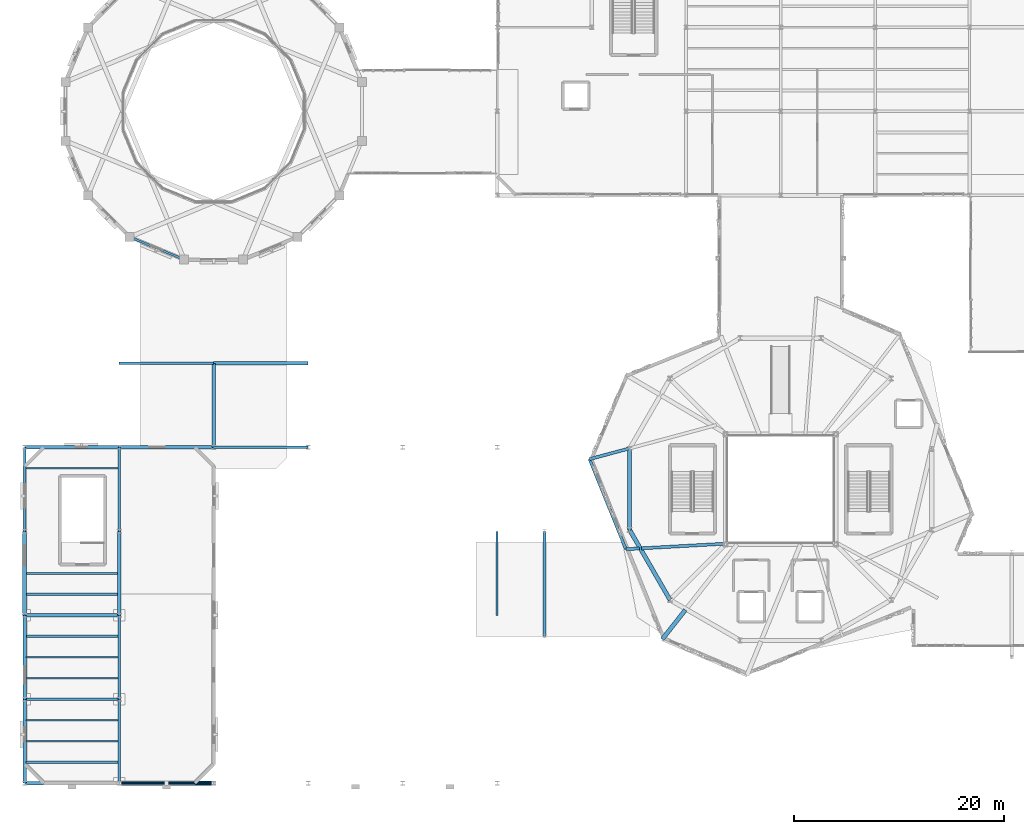
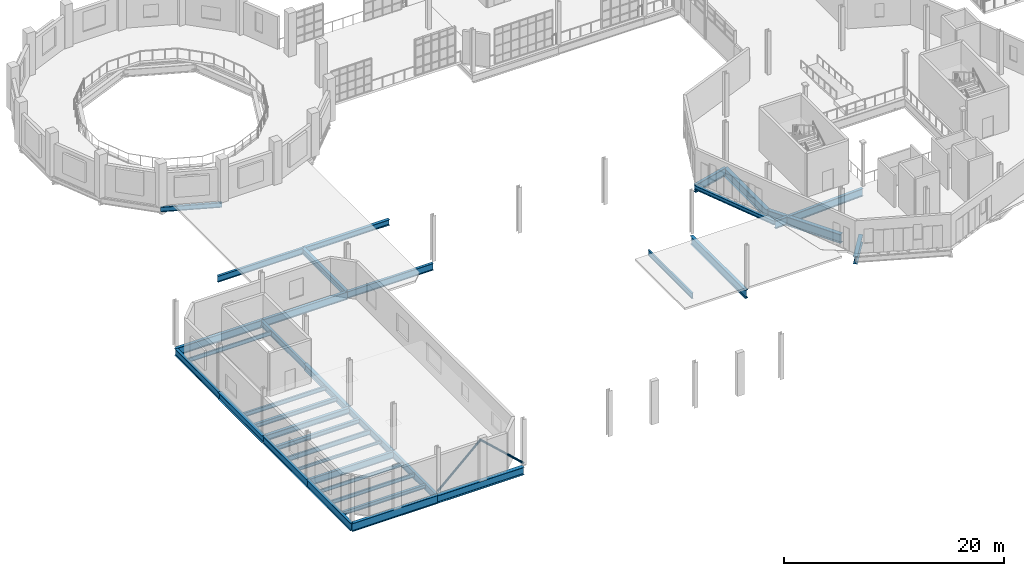
# One storey, part 13 of 122: 37 beams, 2 members.
"""IFC4 building model written with IfcOpenShell, lengths in metres."""

from ifc_helpers import new_model, si_unit, direction, frame, origin, origin_2d, place, context, subcontext, project, spatial, hollow_circle, i_section, extrude, material, material_profile, profile_set, type_object, element, save


model = new_model("IFC4")

# Units and contexts
model_context = context("Model", 3, precision=1e-05, world=origin(), true_north=direction((0.0, 1.0)))
body_context = subcontext(model_context, "Body", "Model", "MODEL_VIEW")
ifc_project = project(units=[si_unit("LENGTHUNIT", "METRE"), si_unit("AREAUNIT", "SQUARE_METRE"), si_unit("VOLUMEUNIT", "CUBIC_METRE"), si_unit("PLANEANGLEUNIT", "RADIAN"), si_unit("MASSUNIT", "GRAM", prefix="KILO"), si_unit("THERMODYNAMICTEMPERATUREUNIT", "KELVIN"), si_unit("POWERUNIT", "WATT")], contexts=[model_context])

# Site, building, storey
site_placement = place(None, origin())
site = spatial("IfcSite", under=ifc_project, at=site_placement, CompositionType="ELEMENT")
building_placement = place(site_placement, origin())
building = spatial("IfcBuilding", under=site, at=building_placement, Name="Zelmaris Science Centre", CompositionType="ELEMENT")
storey_placement = place(building_placement, frame((0.0, 0.0, 10.800048828125)))
storey = spatial("IfcBuildingStorey", under=building, at=storey_placement, Name="L02", CompositionType="ELEMENT", Elevation=10.800048828125)

# Beams
ifc_material_1 = material(Name="Steel ASTM A992 Grade 50", Category="steel")
ifc_material_profile_1 = material_profile(ifc_material_1, i_section(OverallWidth=0.306884765625, OverallDepth=0.927001953125, WebThickness=0.019287109375, FlangeThickness=0.031982421875, FilletRadius=0.02392578125, at=origin_2d()), Name="W36X194")
ifc_profile_set_1 = profile_set([ifc_material_profile_1], Name="Steel ASTM A992 Grade 50")
beam_type_1 = type_object("IfcBeamType", Name="Beam G-03 W36X194", PredefinedType="BEAM", material=ifc_profile_set_1)
beam_1_placement = place(storey_placement, frame((58.5, 22.0, -0.7236328125), z_axis=(0.0, 1.0, 0.0), x_axis=(-1.0, 0.0, 0.0)))
element("IfcBeam", 1, at=beam_1_placement, inside=storey, type_object=beam_type_1, Name="L02 North-south girder 496", PredefinedType="BEAM", context=body_context, shape_type="SweptSolid", body=[
    extrude(i_section(OverallWidth=0.306884765625, OverallDepth=0.927001953125, WebThickness=0.019287109375, FlangeThickness=0.031982421875, FilletRadius=0.02392578125, at=origin_2d()), origin(), (0.0, 0.0, 1.0), 10.0),
])
ifc_material_profile_2 = material_profile(ifc_material_1, i_section(OverallWidth=0.40087890625, OverallDepth=0.85595703125, WebThickness=0.018310546875, FlangeThickness=0.029296875, FilletRadius=0.02001953125, at=origin_2d()), Name="W33X201")
ifc_profile_set_2 = profile_set([ifc_material_profile_2], Name="Steel ASTM A992 Grade 50")
beam_type_2 = type_object("IfcBeamType", Name="Beam G-05 W33X201", PredefinedType="BEAM", material=ifc_profile_set_2)
beam_2_placement = place(storey_placement, frame((71.928955078125, 24.509765625, -0.72802734375), z_axis=(-0.619597599105, -0.78491962339, 0.0), x_axis=(0.78491962339, -0.619597599105, 0.0)))
element("IfcBeam", 2, at=beam_2_placement, inside=storey, type_object=beam_type_2, Name="L02 Radial overhang girder 12", PredefinedType="BEAM", context=body_context, shape_type="SweptSolid", body=[
    extrude(i_section(OverallWidth=0.40087890625, OverallDepth=0.85595703125, WebThickness=0.018310546875, FlangeThickness=0.029296875, FilletRadius=0.02001953125, at=origin_2d()), origin(), (0.0, 0.0, 1.0), 3.560546875),
])
ifc_material_profile_3 = material_profile(ifc_material_1, i_section(OverallWidth=0.294921875, OverallDepth=0.85107421875, WebThickness=0.01611328125, FlangeThickness=0.02685546875, FilletRadius=0.02001953125, at=origin_2d()), Name="W33X152")
ifc_profile_set_3 = profile_set([ifc_material_profile_3], Name="Steel ASTM A992 Grade 50")
beam_type_3 = type_object("IfcBeamType", Name="Beam G-06 W33X152", PredefinedType="BEAM", material=ifc_profile_set_3)
beam_3_placement = place(storey_placement, frame((9.0, 40.0, -0.685546875), z_axis=(1.0, 0.0, 0.0), x_axis=(0.0, 1.0, 0.0)))
element("IfcBeam", 3, at=beam_3_placement, inside=storey, type_object=beam_type_3, Name="L02 East-west girder 560", PredefinedType="BEAM", context=body_context, shape_type="SweptSolid", body=[
    extrude(i_section(OverallWidth=0.294921875, OverallDepth=0.85107421875, WebThickness=0.01611328125, FlangeThickness=0.02685546875, FilletRadius=0.02001953125, at=origin_2d()), origin(), (0.0, 0.0, 1.0), 9.0),
])
beam_4_placement = place(storey_placement, frame((66.598388671875, 39.89111328125, -0.7255859375), z_axis=(-0.965709600368, -0.259624667082, 0.0), x_axis=(0.259624667082, -0.965709600368, 0.0)))
element("IfcBeam", 4, at=beam_4_placement, inside=storey, type_object=beam_type_3, Name="L02 Radial overhang girder 10", PredefinedType="BEAM", context=body_context, shape_type="SweptSolid", body=[
    extrude(i_section(OverallWidth=0.294921875, OverallDepth=0.85107421875, WebThickness=0.01611328125, FlangeThickness=0.02685546875, FilletRadius=0.02001953125, at=origin_2d()), origin(), (0.0, 0.0, 1.0), 3.941162109375),
])
ifc_material_profile_4 = material_profile(ifc_material_1, i_section(OverallWidth=0.2919921875, OverallDepth=0.841064453125, WebThickness=0.0146484375, FlangeThickness=0.021728515625, FilletRadius=0.02001953125, at=origin_2d()), Name="W33X130")
ifc_profile_set_4 = profile_set([ifc_material_profile_4], Name="Steel ASTM A992 Grade 50")
beam_type_4 = type_object("IfcBeamType", Name="Beam G-07 W33X130", PredefinedType="BEAM", material=ifc_profile_set_4)
beam_5_placement = place(storey_placement, frame((18.0, 40.0, -0.6806640625), z_axis=(1.0, 0.0, 0.0), x_axis=(0.0, 1.0, 0.0)))
element("IfcBeam", 5, at=beam_5_placement, inside=storey, type_object=beam_type_4, Name="L02 East-west girder 561", PredefinedType="BEAM", context=body_context, shape_type="SweptSolid", body=[
    extrude(i_section(OverallWidth=0.2919921875, OverallDepth=0.841064453125, WebThickness=0.0146484375, FlangeThickness=0.021728515625, FilletRadius=0.02001953125, at=origin_2d()), origin(), (0.0, 0.0, 1.0), 9.0),
])
ifc_material_profile_5 = material_profile(ifc_material_1, i_section(OverallWidth=0.26708984375, OverallDepth=0.77001953125, WebThickness=0.015625, FlangeThickness=0.025390625, FilletRadius=0.01904296875, at=origin_2d()), Name="W30X132")
ifc_profile_set_5 = profile_set([ifc_material_profile_5], Name="Steel ASTM A992 Grade 50")
beam_type_5 = type_object("IfcBeamType", Name="Beam G-09 W30X132", PredefinedType="BEAM", material=ifc_profile_set_5)
beam_6_placement = place(storey_placement, frame((27.0, 40.0, -0.64501953125), z_axis=(1.0, 0.0, 0.0), x_axis=(0.0, 1.0, 0.0)))
element("IfcBeam", 6, at=beam_6_placement, inside=storey, type_object=beam_type_5, Name="L02 East-west girder 562", PredefinedType="BEAM", context=body_context, shape_type="SweptSolid", body=[
    extrude(i_section(OverallWidth=0.26708984375, OverallDepth=0.77001953125, WebThickness=0.015625, FlangeThickness=0.025390625, FilletRadius=0.01904296875, at=origin_2d()), origin(), (0.0, 0.0, 1.0), 9.0),
])
ifc_material_profile_6 = material_profile(ifc_material_1, i_section(OverallWidth=0.25390625, OverallDepth=0.68310546875, WebThickness=0.012451171875, FlangeThickness=0.018798828125, FilletRadius=0.01806640625, at=origin_2d()), Name="W27X94")
ifc_profile_set_6 = profile_set([ifc_material_profile_6], Name="Steel ASTM A992 Grade 50")
beam_type_6 = type_object("IfcBeamType", Name="Beam G-13 W27X94", PredefinedType="BEAM", material=ifc_profile_set_6)
beam_7_placement = place(storey_placement, frame((18.0, 48.0, -0.6015625), z_axis=(1.0, 0.0, 0.0), x_axis=(0.0, 1.0, 0.0)))
element("IfcBeam", 7, at=beam_7_placement, inside=storey, type_object=beam_type_6, Name="L02 East-west girder 565", PredefinedType="BEAM", context=body_context, shape_type="SweptSolid", body=[
    extrude(i_section(OverallWidth=0.25390625, OverallDepth=0.68310546875, WebThickness=0.012451171875, FlangeThickness=0.018798828125, FilletRadius=0.01806640625, at=origin_2d()), origin(), (0.0, 0.0, 1.0), 9.0),
])
ifc_material_profile_7 = material_profile(ifc_material_1, i_section(OverallWidth=0.324951171875, OverallDepth=0.612060546875, WebThickness=0.0126953125, FlangeThickness=0.01904296875, FilletRadius=0.014892578125, at=origin_2d()), Name="W24X104")
ifc_profile_set_7 = profile_set([ifc_material_profile_7], Name="Steel ASTM A992 Grade 50")
beam_type_7 = type_object("IfcBeamType", Name="Beam G-15 W24X104", PredefinedType="BEAM", material=ifc_profile_set_7)
beam_8_placement = place(storey_placement, frame((27.0, 48.0, -0.566162109375), z_axis=(1.0, 0.0, 0.0), x_axis=(0.0, 1.0, 0.0)))
element("IfcBeam", 8, at=beam_8_placement, inside=storey, type_object=beam_type_7, Name="L02 East-west girder 566", PredefinedType="BEAM", context=body_context, shape_type="SweptSolid", body=[
    extrude(i_section(OverallWidth=0.324951171875, OverallDepth=0.612060546875, WebThickness=0.0126953125, FlangeThickness=0.01904296875, FilletRadius=0.014892578125, at=origin_2d()), origin(), (0.0, 0.0, 1.0), 9.0),
])
ifc_material_profile_8 = material_profile(ifc_material_1, i_section(OverallWidth=0.40087890625, OverallDepth=1.0009765625, WebThickness=0.01904296875, FlangeThickness=0.0361328125, FilletRadius=0.02490234375, at=origin_2d()), Name="W40X249")
ifc_profile_set_8 = profile_set([ifc_material_profile_8], Name="Steel ASTM A992 Grade 50")
beam_type_8 = type_object("IfcBeamType", Name="Beam G-22 W40X249", PredefinedType="BEAM", material=ifc_profile_set_8)
for number, where, z_axis, x_axis, name in (
    (9, (66.607666015625, 39.8564453125, -0.800537109375), (0.0, -1.0, 0.0), (1.0, 0.0, 0.0), "L02 Exhibition inner ring girder 6"),
    (10, (66.607666015625, 32.1435546875, -0.800537109375), (0.500006504531, -0.866021648359, 0.0), (0.866021648359, 0.500006504531, 0.0), "L02 Exhibition inner ring girder 7"),
):
    element("IfcBeam", number, at=place(storey_placement, frame(where, z_axis=z_axis, x_axis=x_axis)), inside=storey, type_object=beam_type_8, Name=name, PredefinedType="BEAM", context=body_context, shape_type="SweptSolid", body=[
        extrude(i_section(OverallWidth=0.40087890625, OverallDepth=1.0009765625, WebThickness=0.01904296875, FlangeThickness=0.0361328125, FilletRadius=0.02490234375, at=origin_2d()), origin(), (0.0, 0.0, 1.0), 7.712890625),
    ])
ifc_material_profile_9 = material_profile(ifc_material_1, i_section(OverallWidth=0.304931640625, OverallDepth=0.912109375, WebThickness=0.015869140625, FlangeThickness=0.02392578125, FilletRadius=0.02392578125, at=origin_2d()), Name="W36X150")
ifc_profile_set_9 = profile_set([ifc_material_profile_9], Name="Steel ASTM A992 Grade 50")
beam_type_9 = type_object("IfcBeamType", Name="Beam G-27 W36X150", PredefinedType="BEAM", material=ifc_profile_set_9)
beam_9_placement = place(storey_placement, frame((9.0, 8.0, -0.716064453125), z_axis=(1.0, 0.0, 0.0), x_axis=(0.0, 1.0, 0.0)))
element("IfcBeam", 11, at=beam_9_placement, inside=storey, type_object=beam_type_9, Name="L02 East-west girder 543", PredefinedType="BEAM", context=body_context, shape_type="SweptSolid", body=[
    extrude(i_section(OverallWidth=0.304931640625, OverallDepth=0.912109375, WebThickness=0.015869140625, FlangeThickness=0.02392578125, FilletRadius=0.02392578125, at=origin_2d()), origin(), (0.0, 0.0, 1.0), 9.0),
])
ifc_material_profile_10 = material_profile(ifc_material_1, i_section(OverallWidth=0.404052734375, OverallDepth=0.861083984375, WebThickness=0.019775390625, FlangeThickness=0.032470703125, FilletRadius=0.02001953125, at=origin_2d()), Name="W33X221")
ifc_profile_set_10 = profile_set([ifc_material_profile_10], Name="Steel ASTM A992 Grade 50")
beam_type_10 = type_object("IfcBeamType", Name="Beam G-28 W33X221", PredefinedType="BEAM", material=ifc_profile_set_10)
beam_10_placement = place(storey_placement, frame((18.0, 8.0, -0.6904296875), z_axis=(1.0, 0.0, 0.0), x_axis=(0.0, 1.0, 0.0)))
element("IfcBeam", 12, at=beam_10_placement, inside=storey, type_object=beam_type_10, Name="L02 East-west girder 544", PredefinedType="BEAM", context=body_context, shape_type="SweptSolid", body=[
    extrude(i_section(OverallWidth=0.404052734375, OverallDepth=0.861083984375, WebThickness=0.019775390625, FlangeThickness=0.032470703125, FilletRadius=0.02001953125, at=origin_2d()), origin(), (0.0, 0.0, 1.0), 9.0),
])
ifc_material_profile_11 = material_profile(ifc_material_1, i_section(OverallWidth=0.2919921875, OverallDepth=0.85888671875, WebThickness=0.01708984375, FlangeThickness=0.031005859375, FilletRadius=0.02001953125, at=origin_2d()), Name="W33X169")
ifc_profile_set_11 = profile_set([ifc_material_profile_11], Name="Steel ASTM A992 Grade 50")
beam_type_11 = type_object("IfcBeamType", Name="Beam G-29 W33X169", PredefinedType="BEAM", material=ifc_profile_set_11)
beam_11_placement = place(storey_placement, frame((9.0, 8.0, -0.689453125), z_axis=(0.0, 1.0, 0.0), x_axis=(-1.0, 0.0, 0.0)))
element("IfcBeam", 13, at=beam_11_placement, inside=storey, type_object=beam_type_11, Name="L02 North-south girder 483", PredefinedType="BEAM", context=body_context, shape_type="SweptSolid", body=[
    extrude(i_section(OverallWidth=0.2919921875, OverallDepth=0.85888671875, WebThickness=0.01708984375, FlangeThickness=0.031005859375, FilletRadius=0.02001953125, at=origin_2d()), origin(), (0.0, 0.0, 1.0), 8.0),
])
beam_12_placement = place(storey_placement, frame((75.746337890625, 30.816650390625, -0.7294921875), z_axis=(-0.998471557535, -0.055267972586, 0.0), x_axis=(0.055267972586, -0.998471557535, 0.0)))
element("IfcBeam", 14, at=beam_12_placement, inside=storey, type_object=beam_type_11, Name="L02 Overhang back-span girder 11", PredefinedType="BEAM", context=body_context, shape_type="SweptSolid", body=[
    extrude(i_section(OverallWidth=0.2919921875, OverallDepth=0.85888671875, WebThickness=0.01708984375, FlangeThickness=0.031005859375, FilletRadius=0.02001953125, at=origin_2d()), origin(), (0.0, 0.0, 1.0), 8.03076171875),
])
beam_13_placement = place(storey_placement, frame((67.5380859375, 30.362548828125, -0.7294921875), z_axis=(-0.9984638663, -0.055406747729, 0.0), x_axis=(0.055406747729, -0.9984638663, 0.0)))
element("IfcBeam", 15, at=beam_13_placement, inside=storey, type_object=beam_type_11, Name="L02 Radial overhang girder 11", PredefinedType="BEAM", context=body_context, shape_type="SweptSolid", body=[
    extrude(i_section(OverallWidth=0.2919921875, OverallDepth=0.85888671875, WebThickness=0.01708984375, FlangeThickness=0.031005859375, FilletRadius=0.02001953125, at=origin_2d()), origin(), (0.0, 0.0, 1.0), 1.2822265625),
])
ifc_material_profile_12 = material_profile(ifc_material_1, i_section(OverallWidth=0.2919921875, OverallDepth=0.8359375, WebThickness=0.013916015625, FlangeThickness=0.018798828125, FilletRadius=0.02001953125, at=origin_2d()), Name="W33X118")
ifc_profile_set_12 = profile_set([ifc_material_profile_12], Name="Steel ASTM A992 Grade 50")
beam_type_12 = type_object("IfcBeamType", Name="Beam G-30 W33X118", PredefinedType="BEAM", material=ifc_profile_set_12)
beam_14_placement = place(storey_placement, frame((9.0, 16.0, -0.677978515625), z_axis=(0.0, 1.0, 0.0), x_axis=(-1.0, 0.0, 0.0)))
element("IfcBeam", 16, at=beam_14_placement, inside=storey, type_object=beam_type_12, Name="L02 North-south girder 484", PredefinedType="BEAM", context=body_context, shape_type="SweptSolid", body=[
    extrude(i_section(OverallWidth=0.2919921875, OverallDepth=0.8359375, WebThickness=0.013916015625, FlangeThickness=0.018798828125, FilletRadius=0.02001953125, at=origin_2d()), origin(), (0.0, 0.0, 1.0), 8.0),
])
ifc_material_profile_13 = material_profile(ifc_material_1, i_section(OverallWidth=0.381103515625, OverallDepth=0.777099609375, WebThickness=0.01806640625, FlangeThickness=0.030029296875, FilletRadius=0.01904296875, at=origin_2d()), Name="W30X191")
ifc_profile_set_13 = profile_set([ifc_material_profile_13], Name="Steel ASTM A992 Grade 50")
beam_type_13 = type_object("IfcBeamType", Name="Beam G-31 W30X191", PredefinedType="BEAM", material=ifc_profile_set_13)
beam_15_placement = place(storey_placement, frame((9.0, 24.0, -0.6484375), z_axis=(0.0, 1.0, 0.0), x_axis=(-1.0, 0.0, 0.0)))
element("IfcBeam", 17, at=beam_15_placement, inside=storey, type_object=beam_type_13, Name="L02 North-south girder 485", PredefinedType="BEAM", context=body_context, shape_type="SweptSolid", body=[
    extrude(i_section(OverallWidth=0.381103515625, OverallDepth=0.777099609375, WebThickness=0.01806640625, FlangeThickness=0.030029296875, FilletRadius=0.01904296875, at=origin_2d()), origin(), (0.0, 0.0, 1.0), 8.0),
])
ifc_material_profile_14 = material_profile(ifc_material_1, i_section(OverallWidth=0.26708984375, OverallDepth=0.780029296875, WebThickness=0.0166015625, FlangeThickness=0.030029296875, FilletRadius=0.01904296875, at=origin_2d()), Name="W30X148")
ifc_profile_set_14 = profile_set([ifc_material_profile_14], Name="Steel ASTM A992 Grade 50")
beam_type_14 = type_object("IfcBeamType", Name="Beam G-32 W30X148", PredefinedType="BEAM", material=ifc_profile_set_14)
beam_16_placement = place(storey_placement, frame((9.0, 32.0, -0.650146484375), z_axis=(0.0, 1.0, 0.0), x_axis=(-1.0, 0.0, 0.0)))
element("IfcBeam", 18, at=beam_16_placement, inside=storey, type_object=beam_type_14, Name="L02 North-south girder 486", PredefinedType="BEAM", context=body_context, shape_type="SweptSolid", body=[
    extrude(i_section(OverallWidth=0.26708984375, OverallDepth=0.780029296875, WebThickness=0.0166015625, FlangeThickness=0.030029296875, FilletRadius=0.01904296875, at=origin_2d()), origin(), (0.0, 0.0, 1.0), 8.0),
])
ifc_material_profile_15 = material_profile(ifc_material_1, i_section(OverallWidth=0.26708984375, OverallDepth=0.761962890625, WebThickness=0.014404296875, FlangeThickness=0.021484375, FilletRadius=0.01904296875, at=origin_2d()), Name="W30X116")
ifc_profile_set_15 = profile_set([ifc_material_profile_15], Name="Steel ASTM A992 Grade 50")
beam_type_15 = type_object("IfcBeamType", Name="Beam G-33 W30X116", PredefinedType="BEAM", material=ifc_profile_set_15)
beam_17_placement = place(storey_placement, frame((18.0, 8.0, -0.64111328125), z_axis=(0.0, 1.0, 0.0), x_axis=(-1.0, 0.0, 0.0)))
element("IfcBeam", 19, at=beam_17_placement, inside=storey, type_object=beam_type_15, Name="L02 North-south girder 487", PredefinedType="BEAM", context=body_context, shape_type="SweptSolid", body=[
    extrude(i_section(OverallWidth=0.26708984375, OverallDepth=0.761962890625, WebThickness=0.014404296875, FlangeThickness=0.021484375, FilletRadius=0.01904296875, at=origin_2d()), origin(), (0.0, 0.0, 1.0), 8.0),
])
beam_18_placement = place(storey_placement, frame((9.0, 16.0, -0.64111328125), z_axis=(1.0, 0.0, 0.0), x_axis=(0.0, 1.0, 0.0)))
element("IfcBeam", 20, at=beam_18_placement, inside=storey, type_object=beam_type_15, Name="L02 East-west girder 549", PredefinedType="BEAM", context=body_context, shape_type="SweptSolid", body=[
    extrude(i_section(OverallWidth=0.26708984375, OverallDepth=0.761962890625, WebThickness=0.014404296875, FlangeThickness=0.021484375, FilletRadius=0.01904296875, at=origin_2d()), origin(), (0.0, 0.0, 1.0), 9.0),
])
ifc_material_profile_16 = material_profile(ifc_material_1, i_section(OverallWidth=0.26708984375, OverallDepth=0.75390625, WebThickness=0.01318359375, FlangeThickness=0.01708984375, FilletRadius=0.01904296875, at=origin_2d()), Name="W30X99")
ifc_profile_set_16 = profile_set([ifc_material_profile_16], Name="Steel ASTM A992 Grade 50")
beam_type_16 = type_object("IfcBeamType", Name="Beam G-34 W30X99", PredefinedType="BEAM", material=ifc_profile_set_16)
beam_19_placement = place(storey_placement, frame((18.0, 16.0, -0.636962890625), z_axis=(0.0, 1.0, 0.0), x_axis=(-1.0, 0.0, 0.0)))
element("IfcBeam", 21, at=beam_19_placement, inside=storey, type_object=beam_type_16, Name="L02 North-south girder 488", PredefinedType="BEAM", context=body_context, shape_type="SweptSolid", body=[
    extrude(i_section(OverallWidth=0.26708984375, OverallDepth=0.75390625, WebThickness=0.01318359375, FlangeThickness=0.01708984375, FilletRadius=0.01904296875, at=origin_2d()), origin(), (0.0, 0.0, 1.0), 8.0),
])
ifc_material_profile_17 = material_profile(ifc_material_1, i_section(OverallWidth=0.35595703125, OverallDepth=0.700927734375, WebThickness=0.016845703125, FlangeThickness=0.02734375, FilletRadius=0.01806640625, at=origin_2d()), Name="W27X161")
ifc_profile_set_17 = profile_set([ifc_material_profile_17], Name="Steel ASTM A992 Grade 50")
beam_type_17 = type_object("IfcBeamType", Name="Beam G-35 W27X161", PredefinedType="BEAM", material=ifc_profile_set_17)
beam_20_placement = place(storey_placement, frame((18.0, 24.0, -0.610595703125), z_axis=(0.0, 1.0, 0.0), x_axis=(-1.0, 0.0, 0.0)))
element("IfcBeam", 22, at=beam_20_placement, inside=storey, type_object=beam_type_17, Name="L02 North-south girder 489", PredefinedType="BEAM", context=body_context, shape_type="SweptSolid", body=[
    extrude(i_section(OverallWidth=0.35595703125, OverallDepth=0.700927734375, WebThickness=0.016845703125, FlangeThickness=0.02734375, FilletRadius=0.01806640625, at=origin_2d()), origin(), (0.0, 0.0, 1.0), 8.0),
])
ifc_material_profile_18 = material_profile(ifc_material_1, i_section(OverallWidth=0.25390625, OverallDepth=0.677978515625, WebThickness=0.01171875, FlangeThickness=0.016357421875, FilletRadius=0.01806640625, at=origin_2d()), Name="W27X84")
ifc_profile_set_18 = profile_set([ifc_material_profile_18], Name="Steel ASTM A992 Grade 50")
beam_type_18 = type_object("IfcBeamType", Name="Beam G-36 W27X84", PredefinedType="BEAM", material=ifc_profile_set_18)
beam_21_placement = place(storey_placement, frame((18.0, 32.0, -0.59912109375), z_axis=(0.0, 1.0, 0.0), x_axis=(-1.0, 0.0, 0.0)))
element("IfcBeam", 23, at=beam_21_placement, inside=storey, type_object=beam_type_18, Name="L02 North-south girder 490", PredefinedType="BEAM", context=body_context, shape_type="SweptSolid", body=[
    extrude(i_section(OverallWidth=0.25390625, OverallDepth=0.677978515625, WebThickness=0.01171875, FlangeThickness=0.016357421875, FilletRadius=0.01806640625, at=origin_2d()), origin(), (0.0, 0.0, 1.0), 8.0),
])
ifc_material_profile_19 = material_profile(ifc_material_1, i_section(OverallWidth=0.327880859375, OverallDepth=0.626953125, WebThickness=0.0166015625, FlangeThickness=0.027587890625, FilletRadius=0.014892578125, at=origin_2d()), Name="W24X146")
ifc_profile_set_19 = profile_set([ifc_material_profile_19], Name="Steel ASTM A992 Grade 50")
beam_type_19 = type_object("IfcBeamType", Name="Beam G-37 W24X146", PredefinedType="BEAM", material=ifc_profile_set_19)
beam_22_placement = place(storey_placement, frame((27.0, 40.0, -0.573486328125), z_axis=(0.0, 1.0, 0.0), x_axis=(-1.0, 0.0, 0.0)))
element("IfcBeam", 24, at=beam_22_placement, inside=storey, type_object=beam_type_19, Name="L02 North-south girder 491", PredefinedType="BEAM", context=body_context, shape_type="SweptSolid", body=[
    extrude(i_section(OverallWidth=0.327880859375, OverallDepth=0.626953125, WebThickness=0.0166015625, FlangeThickness=0.027587890625, FilletRadius=0.014892578125, at=origin_2d()), origin(), (0.0, 0.0, 1.0), 8.0),
])
beam_23_placement = place(storey_placement, frame((9.0, 24.0, -0.573486328125), z_axis=(1.0, 0.0, 0.0), x_axis=(0.0, 1.0, 0.0)))
element("IfcBeam", 25, at=beam_23_placement, inside=storey, type_object=beam_type_19, Name="L02 East-west girder 553", PredefinedType="BEAM", context=body_context, shape_type="SweptSolid", body=[
    extrude(i_section(OverallWidth=0.327880859375, OverallDepth=0.626953125, WebThickness=0.0166015625, FlangeThickness=0.027587890625, FilletRadius=0.014892578125, at=origin_2d()), origin(), (0.0, 0.0, 1.0), 9.0),
])
ifc_material_profile_20 = material_profile(ifc_material_1, i_section(OverallWidth=0.177978515625, OverallDepth=0.59912109375, WebThickness=0.010009765625, FlangeThickness=0.0126953125, FilletRadius=0.014892578125, at=origin_2d()), Name="W24X55")
ifc_profile_set_20 = profile_set([ifc_material_profile_20], Name="Steel ASTM A992 Grade 50")
beam_type_20 = type_object("IfcBeamType", Name="Beam G-38 W24X55", PredefinedType="BEAM", material=ifc_profile_set_20)
beam_24_placement = place(storey_placement, frame((54.0, 24.0, -0.5595703125), z_axis=(0.0, 1.0, 0.0), x_axis=(-1.0, 0.0, 0.0)))
element("IfcBeam", 26, at=beam_24_placement, inside=storey, type_object=beam_type_20, Name="L02 North-south girder 492", PredefinedType="BEAM", context=body_context, shape_type="SweptSolid", body=[
    extrude(i_section(OverallWidth=0.177978515625, OverallDepth=0.59912109375, WebThickness=0.010009765625, FlangeThickness=0.0126953125, FilletRadius=0.014892578125, at=origin_2d()), origin(), (0.0, 0.0, 1.0), 8.0),
])
ifc_material_profile_21 = material_profile(ifc_material_1, i_section(OverallWidth=0.16796875, OverallDepth=0.532958984375, WebThickness=0.01025390625, FlangeThickness=0.0166015625, FilletRadius=0.013916015625, at=origin_2d()), Name="W21X57")
ifc_profile_set_21 = profile_set([ifc_material_profile_21], Name="Steel ASTM A992 Grade 50")
beam_type_21 = type_object("IfcBeamType", Name="Beam J-01 W21X57", PredefinedType="JOIST", material=ifc_profile_set_21)
beam_25_placement = place(storey_placement, frame((9.131103515625, 20.0, -0.526611328125), z_axis=(1.0, 0.0, 0.0), x_axis=(0.0, 1.0, 0.0)))
element("IfcBeam", 27, at=beam_25_placement, inside=storey, type_object=beam_type_21, Name="L02 Composite floor joist 243", PredefinedType="JOIST", context=body_context, shape_type="SweptSolid", body=[
    extrude(i_section(OverallWidth=0.16796875, OverallDepth=0.532958984375, WebThickness=0.01025390625, FlangeThickness=0.0166015625, FilletRadius=0.013916015625, at=origin_2d()), origin(), (0.0, 0.0, 1.0), 8.75048828125),
])
ifc_material_profile_22 = material_profile(ifc_material_1, i_section(OverallWidth=0.281982421875, OverallDepth=0.471923828125, WebThickness=0.013671875, FlangeThickness=0.022216796875, FilletRadius=0.012939453125, at=origin_2d()), Name="W18X97")
ifc_profile_set_22 = profile_set([ifc_material_profile_22], Name="Steel ASTM A992 Grade 50")
beam_type_22 = type_object("IfcBeamType", Name="Beam J-02 W18X97", PredefinedType="JOIST", material=ifc_profile_set_22)
beam_26_placement = place(storey_placement, frame((9.131103515625, 22.0, -0.49609375), z_axis=(1.0, 0.0, 0.0), x_axis=(0.0, 1.0, 0.0)))
element("IfcBeam", 28, at=beam_26_placement, inside=storey, type_object=beam_type_22, Name="L02 Composite floor joist 244", PredefinedType="JOIST", context=body_context, shape_type="SweptSolid", body=[
    extrude(i_section(OverallWidth=0.281982421875, OverallDepth=0.471923828125, WebThickness=0.013671875, FlangeThickness=0.022216796875, FilletRadius=0.012939453125, at=origin_2d()), origin(), (0.0, 0.0, 1.0), 8.75048828125),
])
ifc_material_profile_23 = material_profile(ifc_material_1, i_section(OverallWidth=0.279052734375, OverallDepth=0.4619140625, WebThickness=0.0107421875, FlangeThickness=0.017333984375, FilletRadius=0.012939453125, at=origin_2d()), Name="W18X76")
ifc_profile_set_23 = profile_set([ifc_material_profile_23], Name="Steel ASTM A992 Grade 50")
beam_type_23 = type_object("IfcBeamType", Name="Beam J-03 W18X76", PredefinedType="JOIST", material=ifc_profile_set_23)
beam_27_placement = place(storey_placement, frame((9.175537109375, 26.0, -0.490966796875), z_axis=(1.0, 0.0, 0.0), x_axis=(0.0, 1.0, 0.0)))
element("IfcBeam", 29, at=beam_27_placement, inside=storey, type_object=beam_type_23, Name="L02 Composite floor joist 245", PredefinedType="JOIST", context=body_context, shape_type="SweptSolid", body=[
    extrude(i_section(OverallWidth=0.279052734375, OverallDepth=0.4619140625, WebThickness=0.0107421875, FlangeThickness=0.017333984375, FilletRadius=0.012939453125, at=origin_2d()), origin(), (0.0, 0.0, 1.0), 8.661376953125),
])
ifc_material_profile_24 = material_profile(ifc_material_1, i_section(OverallWidth=0.19091796875, OverallDepth=0.4599609375, WebThickness=0.010009765625, FlangeThickness=0.01611328125, FilletRadius=0.012939453125, at=origin_2d()), Name="W18X55")
ifc_profile_set_24 = profile_set([ifc_material_profile_24], Name="Steel ASTM A992 Grade 50")
beam_type_24 = type_object("IfcBeamType", Name="Beam J-04 W18X55", PredefinedType="JOIST", material=ifc_profile_set_24)
beam_28_placement = place(storey_placement, frame((9.175537109375, 28.0, -0.489990234375), z_axis=(1.0, 0.0, 0.0), x_axis=(0.0, 1.0, 0.0)))
element("IfcBeam", 30, at=beam_28_placement, inside=storey, type_object=beam_type_24, Name="L02 Composite floor joist 246", PredefinedType="JOIST", context=body_context, shape_type="SweptSolid", body=[
    extrude(i_section(OverallWidth=0.19091796875, OverallDepth=0.4599609375, WebThickness=0.010009765625, FlangeThickness=0.01611328125, FilletRadius=0.012939453125, at=origin_2d()), origin(), (0.0, 0.0, 1.0), 8.661376953125),
])
ifc_material_profile_25 = material_profile(ifc_material_1, i_section(OverallWidth=0.152099609375, OverallDepth=0.455078125, WebThickness=0.008056640625, FlangeThickness=0.01318359375, FilletRadius=0.012939453125, at=origin_2d()), Name="W18X40")
ifc_profile_set_25 = profile_set([ifc_material_profile_25], Name="Steel ASTM A992 Grade 50")
beam_type_25 = type_object("IfcBeamType", Name="Beam J-05 W18X40", PredefinedType="JOIST", material=ifc_profile_set_25)
beam_29_placement = place(storey_placement, frame((9.118408203125, 38.0, -0.487548828125), z_axis=(1.0, 0.0, 0.0), x_axis=(0.0, 1.0, 0.0)))
element("IfcBeam", 31, at=beam_29_placement, inside=storey, type_object=beam_type_25, Name="L02 Composite floor joist 247", PredefinedType="JOIST", context=body_context, shape_type="SweptSolid", body=[
    extrude(i_section(OverallWidth=0.152099609375, OverallDepth=0.455078125, WebThickness=0.008056640625, FlangeThickness=0.01318359375, FilletRadius=0.012939453125, at=origin_2d()), origin(), (0.0, 0.0, 1.0), 8.76953125),
])
ifc_material_profile_26 = material_profile(ifc_material_1, i_section(OverallWidth=0.260009765625, OverallDepth=0.4140625, WebThickness=0.010009765625, FlangeThickness=0.016845703125, FilletRadius=0.011962890625, at=origin_2d()), Name="W16X67")
ifc_profile_set_26 = profile_set([ifc_material_profile_26], Name="Steel ASTM A992 Grade 50")
beam_type_26 = type_object("IfcBeamType", Name="Beam J-06 W16X67", PredefinedType="JOIST", material=ifc_profile_set_26)
beam_30_placement = place(storey_placement, frame((9.131103515625, 10.0, -0.467041015625), z_axis=(1.0, 0.0, 0.0), x_axis=(0.0, 1.0, 0.0)))
element("IfcBeam", 32, at=beam_30_placement, inside=storey, type_object=beam_type_26, Name="L02 Composite floor joist 239", PredefinedType="JOIST", context=body_context, shape_type="SweptSolid", body=[
    extrude(i_section(OverallWidth=0.260009765625, OverallDepth=0.4140625, WebThickness=0.010009765625, FlangeThickness=0.016845703125, FilletRadius=0.011962890625, at=origin_2d()), origin(), (0.0, 0.0, 1.0), 8.75048828125),
])
ifc_material_profile_27 = material_profile(ifc_material_1, i_section(OverallWidth=0.177978515625, OverallDepth=0.408935546875, WebThickness=0.0087890625, FlangeThickness=0.014404296875, FilletRadius=0.011962890625, at=origin_2d()), Name="W16X45")
ifc_profile_set_27 = profile_set([ifc_material_profile_27], Name="Steel ASTM A992 Grade 50")
beam_type_27 = type_object("IfcBeamType", Name="Beam J-07 W16X45", PredefinedType="JOIST", material=ifc_profile_set_27)
beam_31_placement = place(storey_placement, frame((9.131103515625, 12.0, -0.464599609375), z_axis=(1.0, 0.0, 0.0), x_axis=(0.0, 1.0, 0.0)))
element("IfcBeam", 33, at=beam_31_placement, inside=storey, type_object=beam_type_27, Name="L02 Composite floor joist 240", PredefinedType="JOIST", context=body_context, shape_type="SweptSolid", body=[
    extrude(i_section(OverallWidth=0.177978515625, OverallDepth=0.408935546875, WebThickness=0.0087890625, FlangeThickness=0.014404296875, FilletRadius=0.011962890625, at=origin_2d()), origin(), (0.0, 0.0, 1.0), 8.75048828125),
])
ifc_material_profile_28 = material_profile(ifc_material_1, i_section(OverallWidth=0.139892578125, OverallDepth=0.404052734375, WebThickness=0.007080078125, FlangeThickness=0.01123046875, FilletRadius=0.011962890625, at=origin_2d()), Name="W16X31")
ifc_profile_set_28 = profile_set([ifc_material_profile_28], Name="Steel ASTM A992 Grade 50")
beam_type_28 = type_object("IfcBeamType", Name="Beam J-08 W16X31", PredefinedType="JOIST", material=ifc_profile_set_28)
beam_32_placement = place(storey_placement, frame((9.131103515625, 14.0, -0.462158203125), z_axis=(1.0, 0.0, 0.0), x_axis=(0.0, 1.0, 0.0)))
element("IfcBeam", 34, at=beam_32_placement, inside=storey, type_object=beam_type_28, Name="L02 Composite floor joist 241", PredefinedType="JOIST", context=body_context, shape_type="SweptSolid", body=[
    extrude(i_section(OverallWidth=0.139892578125, OverallDepth=0.404052734375, WebThickness=0.007080078125, FlangeThickness=0.01123046875, FilletRadius=0.011962890625, at=origin_2d()), origin(), (0.0, 0.0, 1.0), 8.75048828125),
])
ifc_material_profile_29 = material_profile(ifc_material_1, i_section(OverallWidth=0.1669921875, OverallDepth=0.318115234375, WebThickness=0.007568359375, FlangeThickness=0.01318359375, FilletRadius=0.011962890625, at=origin_2d()), Name="W12X35")
ifc_profile_set_29 = profile_set([ifc_material_profile_29], Name="Steel ASTM A992 Grade 50")
beam_type_29 = type_object("IfcBeamType", Name="Beam J-09 W12X35", PredefinedType="JOIST", material=ifc_profile_set_29)
beam_33_placement = place(storey_placement, frame((9.131103515625, 18.0, -0.4189453125), z_axis=(1.0, 0.0, 0.0), x_axis=(0.0, 1.0, 0.0)))
element("IfcBeam", 35, at=beam_33_placement, inside=storey, type_object=beam_type_29, Name="L02 Composite floor joist 242", PredefinedType="JOIST", context=body_context, shape_type="SweptSolid", body=[
    extrude(i_section(OverallWidth=0.1669921875, OverallDepth=0.318115234375, WebThickness=0.007568359375, FlangeThickness=0.01318359375, FilletRadius=0.011962890625, at=origin_2d()), origin(), (0.0, 0.0, 1.0), 8.75048828125),
])
ifc_material_profile_30 = material_profile(ifc_material_1, i_section(OverallWidth=0.2109375, OverallDepth=0.5380859375, WebThickness=0.01171875, FlangeThickness=0.018798828125, FilletRadius=0.013916015625, at=origin_2d()), Name="W21X73")
ifc_profile_set_30 = profile_set([ifc_material_profile_30], Name="Steel ASTM A992 Grade 50")
beam_type_30 = type_object("IfcBeamType", Name="Beam SP-02 W21X73", PredefinedType="SPANDREL", material=ifc_profile_set_30)
beam_34_placement = place(storey_placement, frame((18.999755859375, 60.02685546875, -0.529052734375), z_axis=(0.923879667137, -0.38268310735, 0.0), x_axis=(0.38268310735, 0.923879667137, 0.0)))
element("IfcBeam", 36, at=beam_34_placement, inside=storey, type_object=beam_type_30, Name="L02 Planetarium drum ring beam 11", PredefinedType="SPANDREL", context=body_context, shape_type="SweptSolid", body=[
    extrude(i_section(OverallWidth=0.2109375, OverallDepth=0.5380859375, WebThickness=0.01171875, FlangeThickness=0.018798828125, FilletRadius=0.013916015625, at=origin_2d()), origin(), (0.0, 0.0, 1.0), 5.61865234375),
])
ifc_material_profile_31 = material_profile(ifc_material_1, i_section(OverallWidth=0.279052734375, OverallDepth=0.4619140625, WebThickness=0.0107421875, FlangeThickness=0.017333984375, FilletRadius=0.012939453125, at=origin_2d()), Name="W18X76")
ifc_profile_set_31 = profile_set([ifc_material_profile_31], Name="Steel ASTM A992 Grade 50")
beam_type_31 = type_object("IfcBeamType", Name="Beam SP-03 W18X76", PredefinedType="SPANDREL", material=ifc_profile_set_31)
beam_35_placement = place(storey_placement, frame((62.79248046875, 38.867919921875, -0.531005859375), z_axis=(0.374628436918, -0.92717502892, 0.0), x_axis=(0.92717502892, 0.374628436918, 0.0)))
element("IfcBeam", 37, at=beam_35_placement, inside=storey, type_object=beam_type_31, Name="L02 Rotated facade spandrel beam 2", PredefinedType="SPANDREL", context=body_context, shape_type="SweptSolid", body=[
    extrude(i_section(OverallWidth=0.279052734375, OverallDepth=0.4619140625, WebThickness=0.0107421875, FlangeThickness=0.017333984375, FilletRadius=0.012939453125, at=origin_2d()), origin(), (0.0, 0.0, 1.0), 9.25),
])

# Members
ifc_material_2 = material(Name="Steel ASTM A500 Grade C", Category="steel")
ifc_material_profile_32 = material_profile(ifc_material_2, hollow_circle(Radius=0.109619140625, WallThickness=0.0087890625, at=origin_2d()), Name="CHS219X10")
ifc_profile_set_32 = profile_set([ifc_material_profile_32], Name="Steel ASTM A500 Grade C")
member_type = type_object("IfcMemberType", Name="Structural Brace BR-06 CHS219X10", PredefinedType="BRACE", material=ifc_profile_set_32)
for number, where, z_axis, x_axis, name in (
    (38, (18.0, 8.0, 0.079833984375), (0.735919871074, 0.0, 0.677068640064), (0.0, 1.0, 0.0), "L02 Chevron brace BRF-V3S1 left"),
    (39, (27.0, 8.0, 0.079833984375), (-0.735919871074, 0.0, 0.677068640064), (0.0, -1.0, 0.0), "L02 Chevron brace BRF-V3S1 right"),
):
    element("IfcMember", number, at=place(storey_placement, frame(where, z_axis=z_axis, x_axis=x_axis)), inside=storey, type_object=member_type, Name=name, PredefinedType="BRACE", context=body_context, shape_type="SweptSolid", body=[
        extrude(hollow_circle(Radius=0.109619140625, WallThickness=0.0087890625, at=origin_2d()), origin(), (0.0, 0.0, 1.0), 6.11474609375),
    ])

save(model, "model.ifc")
